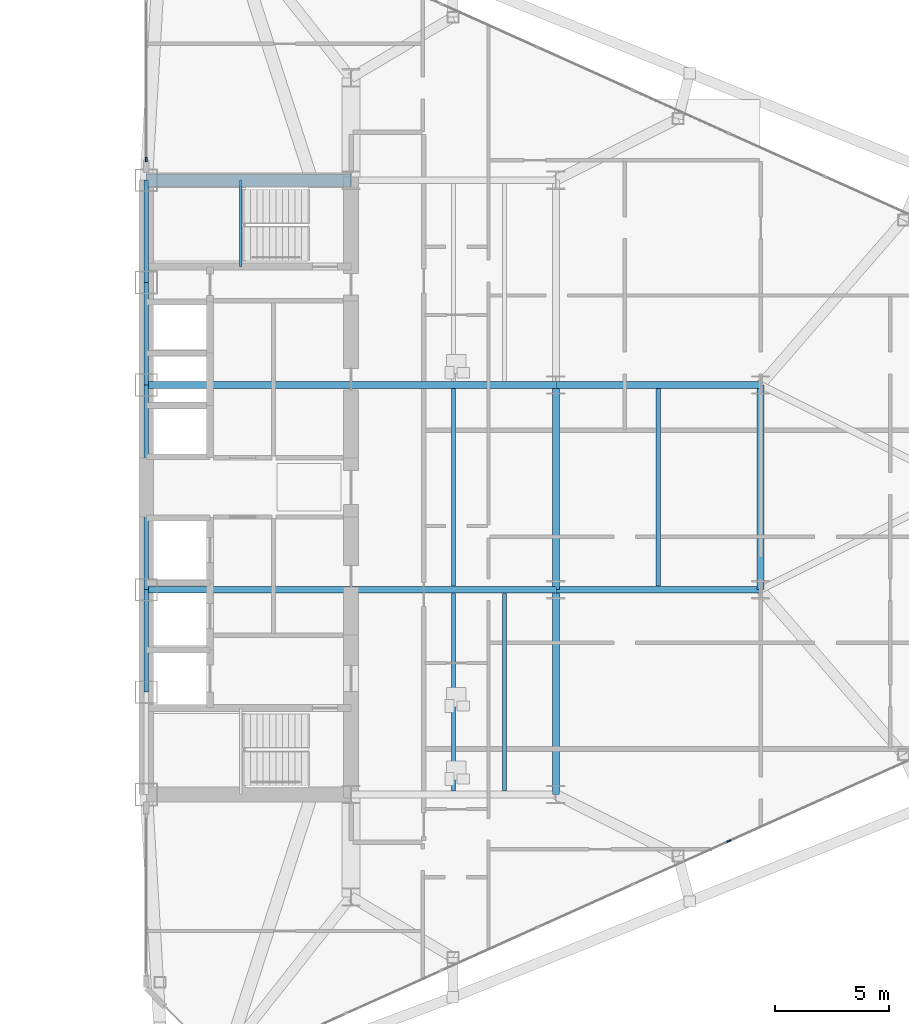
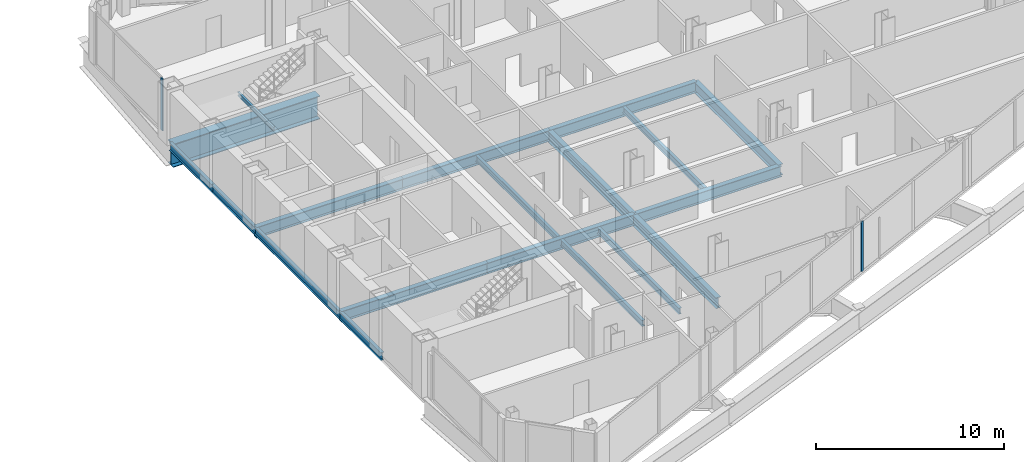
# One storey, part 13 of 29: 19 beams, 2 members, 2 elements without a shape of their own.
"""IFC4 building model written with IfcOpenShell, lengths in metres."""

from ifc_helpers import new_model, si_unit, direction, frame, origin, origin_2d, place, context, subcontext, project, spatial, rectangle, i_section, extrude, source, transform, mapped, material, layer, layer_set, material_profile, profile_set, type_object, type_shapes, element, aggregate, save


model = new_model("IFC4")

# Units and contexts
model_context = context("Model", 3, precision=1e-05, world=origin(), true_north=direction((0.0, 1.0)))
body_context = subcontext(model_context, "Body", "Model", "MODEL_VIEW")
ifc_project = project(units=[si_unit("LENGTHUNIT", "METRE"), si_unit("AREAUNIT", "SQUARE_METRE"), si_unit("VOLUMEUNIT", "CUBIC_METRE"), si_unit("PLANEANGLEUNIT", "RADIAN"), si_unit("MASSUNIT", "GRAM", prefix="KILO")], contexts=[model_context])

# Site, building, storey
site_placement = place(None, origin())
site = spatial("IfcSite", under=ifc_project, at=site_placement, CompositionType="ELEMENT")
building_placement = place(site_placement, origin())
building = spatial("IfcBuilding", under=site, at=building_placement, Name="Seokmaru Belvedere", CompositionType="ELEMENT")
storey_placement = place(building_placement, frame((0.0, 0.0, 62.10009765625)))
storey = spatial("IfcBuildingStorey", under=building, at=storey_placement, Name="L16", CompositionType="ELEMENT", Elevation=62.10009765625)

# Beams
ifc_material_1 = material(Name="Steel SM355 (355 MPa)", Category="steel")
ifc_material_profile_1 = material_profile(ifc_material_1, i_section(OverallWidth=0.199951171875, OverallDepth=0.5, WebThickness=0.010009765625, FlangeThickness=0.01611328125, at=origin_2d()), Name="H-500x200x10x16")
ifc_profile_set_1 = profile_set([ifc_material_profile_1], Name="Steel SM355 (355 MPa)")
beam_type_1 = type_object("IfcBeamType", Name="Perimeter Spandrel Beam H-500", PredefinedType="SPANDREL", material=ifc_profile_set_1)
shared_shape_1 = source(origin(), body_context, "Body", "SweptSolid", [
    extrude(i_section(OverallWidth=0.199951171875, OverallDepth=0.5, WebThickness=0.010009765625, FlangeThickness=0.01611328125, at=origin_2d()), origin(), (0.0, 0.0, 1.0), 4.5),
])
for number, where, z_axis, x_axis, name in (
    (1, (27.5, -9.0, -0.47021484375), (0.0, 1.0, 0.0), (-1.0, 0.0, 0.0), "L16 E Portal Spine Spandrel 2"),
    (2, (27.5, 4.5, -0.47021484375), (0.0, 1.0, 0.0), (-1.0, 0.0, 0.0), "L16 E Portal Spine Spandrel 4"),
    (3, (27.5, 9.0, -0.47021484375), (0.0, 1.0, 0.0), (-1.0, 0.0, 0.0), "L16 E Portal Spine Spandrel 5"),
):
    element("IfcBeam", number, at=place(storey_placement, frame(where, z_axis=z_axis, x_axis=x_axis)), inside=storey, type_object=beam_type_1, Name=name, PredefinedType="SPANDREL", context=body_context, shape_type="MappedRepresentation", body=[
        mapped(shared_shape_1, transform((0.0, 0.0, 0.0), scale=1.0)),
    ])
shared_shape_2 = source(origin(), body_context, "Body", "SweptSolid", [
    extrude(i_section(OverallWidth=0.199951171875, OverallDepth=0.5, WebThickness=0.010009765625, FlangeThickness=0.01611328125, at=origin_2d()), origin(), (0.0, 0.0, 1.0), 9.0),
])
type_shapes(beam_type_1, [shared_shape_1, shared_shape_2])
beam_1_placement = place(storey_placement, frame((27.5, -4.5, -0.47021484375), z_axis=(0.0, 1.0, 0.0), x_axis=(-1.0, 0.0, 0.0)))
element("IfcBeam", 4, at=beam_1_placement, inside=storey, type_object=beam_type_1, Name="L16 E Portal Spine Spandrel 3", PredefinedType="SPANDREL", context=body_context, shape_type="MappedRepresentation", body=[
    mapped(shared_shape_2, transform((0.0, 0.0, 0.0), scale=1.0)),
])
ifc_material_profile_2 = material_profile(ifc_material_1, i_section(OverallWidth=0.300048828125, OverallDepth=0.699951171875, WebThickness=0.012939453125, FlangeThickness=0.02392578125, at=origin_2d()), Name="H-700x300x13x24")
ifc_profile_set_2 = profile_set([ifc_material_profile_2], Name="Steel SM355 (355 MPa)")
beam_type_2 = type_object("IfcBeamType", Name="Primary Floor Girder H-700", PredefinedType="BEAM", material=ifc_profile_set_2)
shared_shape_3 = source(origin(), body_context, "Body", "SweptSolid", [
    extrude(i_section(OverallWidth=0.300048828125, OverallDepth=0.699951171875, WebThickness=0.012939453125, FlangeThickness=0.02392578125, at=origin_2d()), origin(), (0.0, 0.0, 1.0), 9.0),
])
type_shapes(beam_type_2, [shared_shape_3])
for number, where, z_axis, x_axis, name in (
    (5, (45.5, -13.5, -0.570068359375), (0.0, 1.0, 0.0), (-1.0, 0.0, 0.0), "L16 E Interior Grid Girder 1"),
    (6, (45.5, -4.5, -0.570068359375), (0.0, 1.0, 0.0), (-1.0, 0.0, 0.0), "L16 E Interior Grid Girder 2"),
    (7, (27.5, -4.5, -0.570068359375), (1.0, 0.0, 0.0), (0.0, 1.0, 0.0), "L16 E Core Tie Girder 2"),
    (8, (36.5, -4.5, -0.570068359375), (1.0, 0.0, 0.0), (0.0, 1.0, 0.0), "L16 E Wing Primary Girder 2"),
    (9, (27.5, 4.5, -0.570068359375), (1.0, 0.0, 0.0), (0.0, 1.0, 0.0), "L16 E Core Tie Girder 3"),
    (10, (36.5, 4.5, -0.570068359375), (1.0, 0.0, 0.0), (0.0, 1.0, 0.0), "L16 E Wing Primary Girder 3"),
    (11, (45.5, -4.5, -0.570068359375), (1.0, 0.0, 0.0), (0.0, 1.0, 0.0), "L16 E Outer Wing Girder 1"),
    (12, (45.5, 4.5, -0.570068359375), (1.0, 0.0, 0.0), (0.0, 1.0, 0.0), "L16 E Outer Wing Girder 2"),
    (13, (54.5, -4.5, -0.570068359375), (0.0, 1.0, 0.0), (-1.0, 0.0, 0.0), "L16 E Apex Frame Girder"),
):
    element("IfcBeam", number, at=place(storey_placement, frame(where, z_axis=z_axis, x_axis=x_axis)), inside=storey, type_object=beam_type_2, Name=name, PredefinedType="BEAM", context=body_context, shape_type="MappedRepresentation", body=[
        mapped(shared_shape_3, transform((0.0, 0.0, 0.0), scale=1.0)),
    ])
ifc_material_profile_3 = material_profile(ifc_material_1, i_section(OverallWidth=0.18505859375, OverallDepth=0.389892578125, WebThickness=0.008056640625, FlangeThickness=0.011962890625, at=origin_2d()), Name="H-390x185x8x12")
ifc_profile_set_3 = profile_set([ifc_material_profile_3], Name="Steel SM355 (355 MPa)")
beam_type_3 = type_object("IfcBeamType", Name="Secondary Floor Joist H-350", PredefinedType="JOIST", material=ifc_profile_set_3)
shared_shape_4 = source(origin(), body_context, "Body", "SweptSolid", [
    extrude(i_section(OverallWidth=0.18505859375, OverallDepth=0.389892578125, WebThickness=0.008056640625, FlangeThickness=0.011962890625, at=origin_2d()), origin(), (0.0, 0.0, 1.0), 8.68994140625),
])
type_shapes(beam_type_3, [shared_shape_4])
for number, where, z_axis, x_axis, name in (
    (14, (43.25, -13.344970703125, -0.4150390625), (0.0, 1.0, 0.0), (-1.0, 0.0, 0.0), "L16 E Wing Inner Secondary Joist 1"),
    (15, (41.0, -13.344970703125, -0.4150390625), (0.0, 1.0, 0.0), (-1.0, 0.0, 0.0), "L16 E Secondary Floor Joist 1"),
    (16, (41.0, -4.344970703125, -0.4150390625), (0.0, 1.0, 0.0), (-1.0, 0.0, 0.0), "L16 E Secondary Floor Joist 2"),
    (17, (50.0, -4.344970703125, -0.4150390625), (0.0, 1.0, 0.0), (-1.0, 0.0, 0.0), "L16 E Outer Bay Secondary Joist"),
):
    element("IfcBeam", number, at=place(storey_placement, frame(where, z_axis=z_axis, x_axis=x_axis)), inside=storey, type_object=beam_type_3, Name=name, PredefinedType="JOIST", context=body_context, shape_type="MappedRepresentation", body=[
        mapped(shared_shape_4, transform((0.0, 0.0, 0.0), scale=1.0)),
    ])
ifc_material_2 = material(Name="Steel HSA650 (650 MPa)", Category="steel")
ifc_material_profile_4 = material_profile(ifc_material_2, i_section(OverallWidth=0.550048828125, OverallDepth=1.5, WebThickness=0.028076171875, FlangeThickness=0.044921875, at=origin_2d()), Name="BH-1500x550x28x45")
ifc_profile_set_4 = profile_set([ifc_material_profile_4], Name="Steel HSA650 (650 MPa)")
beam_type_4 = type_object("IfcBeamType", Name="Setback Transfer Girder BH-1500", PredefinedType="BEAM", material=ifc_profile_set_4)
shared_shape_5 = source(origin(), body_context, "Body", "SweptSolid", [
    extrude(i_section(OverallWidth=0.550048828125, OverallDepth=1.5, WebThickness=0.028076171875, FlangeThickness=0.044921875, at=origin_2d()), origin(), (0.0, 0.0, 1.0), 9.0),
])
type_shapes(beam_type_4, [shared_shape_5])
beam_2_placement = place(storey_placement, frame((27.5, 13.5, -0.97021484375), z_axis=(1.0, 0.0, 0.0), x_axis=(0.0, 1.0, 0.0)))
element("IfcBeam", 18, at=beam_2_placement, inside=storey, type_object=beam_type_4, Name="L16 E Core Transfer Header 4", PredefinedType="BEAM", context=body_context, shape_type="MappedRepresentation", body=[
    mapped(shared_shape_5, transform((0.0, 0.0, 0.0), scale=1.0)),
])

# Curtain wall, member
ifc_material_3 = material(Name="Bronze Triple Insulating Glass", Category="glass")
ifc_layer = layer(ifc_material_3, 0.195068359375)
ifc_layer_set = layer_set([ifc_layer], Name="Bronze Triple Insulating Glass")
curtain_wall_type = type_object("IfcCurtainWallType", Name="Lower-Mid Tapered Curtain Wall System CW-3", PredefinedType="NOTDEFINED", material=ifc_layer_set)
curtain_wall_1_placement = place(storey_placement, origin())
curtain_wall_1 = element("IfcCurtainWall", 19, at=curtain_wall_1_placement, inside=storey, type_object=curtain_wall_type, Name="L16 Curtain Wall ESP_2", PredefinedType="NOTDEFINED")
ifc_material_4 = material(Name="Anodised Bronze Aluminium", Category="aluminium")
ifc_material_profile_5 = material_profile(ifc_material_4, rectangle(XDim=0.070068359375, YDim=0.195068359375, at=origin_2d()), Name="CW-M-70x195")
ifc_profile_set_5 = profile_set([ifc_material_profile_5], Name="Anodised Bronze Aluminium")
member_type = type_object("IfcMemberType", Name="Bronze Unitised Mullion 70x195", PredefinedType="MULLION", material=ifc_profile_set_5)
shared_shape_6 = source(origin(), body_context, "Body", "SweptSolid", [
    extrude(rectangle(XDim=0.070068359375, YDim=0.195068359375, at=origin_2d()), origin(), (0.0, 0.0, 1.0), 3.3798828125),
])
member_1_placement = place(storey_placement, frame((27.5, 14.4150390625, 0.0), z_axis=(0.0, 0.0, 1.0), x_axis=(1.0, 0.0, 0.0)))
member_1 = element("IfcMember", 20, at=member_1_placement, type_object=member_type, Name="CW:L16:ESP_2 Mullion 2", PredefinedType="MULLION", context=body_context, shape_type="MappedRepresentation", body=[
    mapped(shared_shape_6, transform((0.0, 0.0, 0.0), scale=1.0)),
])
aggregate(curtain_wall_1, [member_1])

curtain_wall_2_placement = place(storey_placement, origin())
curtain_wall_2 = element("IfcCurtainWall", 21, at=curtain_wall_2_placement, inside=storey, type_object=curtain_wall_type, Name="L16 Curtain Wall EF1", PredefinedType="NOTDEFINED")
shared_shape_7 = source(origin(), body_context, "Body", "SweptSolid", [
    extrude(rectangle(XDim=0.070068359375, YDim=0.195068359375, at=origin_2d()), origin(), (0.0, 0.0, 1.0), 3.239990234375),
])
type_shapes(member_type, [shared_shape_6, shared_shape_7])
member_2_placement = place(storey_placement, frame((53.105712890625, -15.552490234375, 0.06982421875), z_axis=(0.0, 0.0, 1.0), x_axis=(-0.41036554765, 0.91192111353, 0.0)))
member_2 = element("IfcMember", 22, at=member_2_placement, type_object=member_type, Name="CW:L16:EF1 Mullion 6", PredefinedType="MULLION", context=body_context, shape_type="MappedRepresentation", body=[
    mapped(shared_shape_7, transform((0.0, 0.0, 0.0), scale=1.0)),
])
aggregate(curtain_wall_2, [member_2])

# Beam
ifc_material_profile_6 = material_profile(ifc_material_1, i_section(OverallWidth=0.125, OverallDepth=0.25, WebThickness=0.006103515625, FlangeThickness=0.009033203125, at=origin_2d()), Name="H-250x125x6x9")
ifc_profile_set_6 = profile_set([ifc_material_profile_6], Name="Steel SM355 (355 MPa)")
beam_type_5 = type_object("IfcBeamType", Name="Stair Mid-Landing Support Beam H-250", PredefinedType="JOIST", material=ifc_profile_set_6)
shared_shape_8 = source(origin(), body_context, "Body", "SweptSolid", [
    extrude(i_section(OverallWidth=0.125, OverallDepth=0.25, WebThickness=0.006103515625, FlangeThickness=0.009033203125, at=origin_2d()), origin(), (0.0, 0.0, 1.0), 3.800048828125),
])
type_shapes(beam_type_5, [shared_shape_8])
beam_3_placement = place(storey_placement, frame((31.64990234375, 9.699951171875, 1.474853515625), z_axis=(0.0, 1.0, 0.0), x_axis=(-1.0, 0.0, 0.0)))
element("IfcBeam", 23, at=beam_3_placement, inside=storey, type_object=beam_type_5, Name="L16 Stair ST-E2 Mid-Landing Support Beam 1", PredefinedType="JOIST", context=body_context, shape_type="MappedRepresentation", body=[
    mapped(shared_shape_8, transform((0.0, 0.0, 0.0), scale=1.0)),
])

save(model, "model.ifc")
